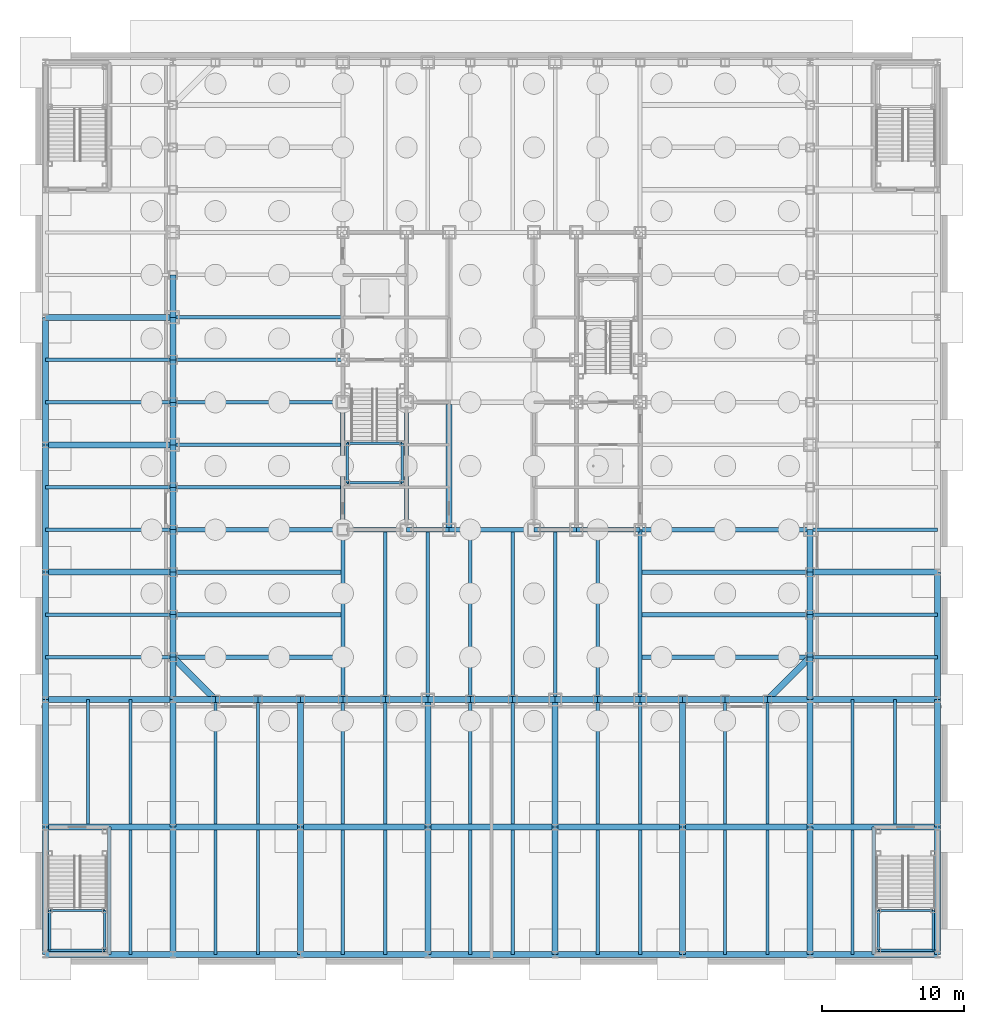
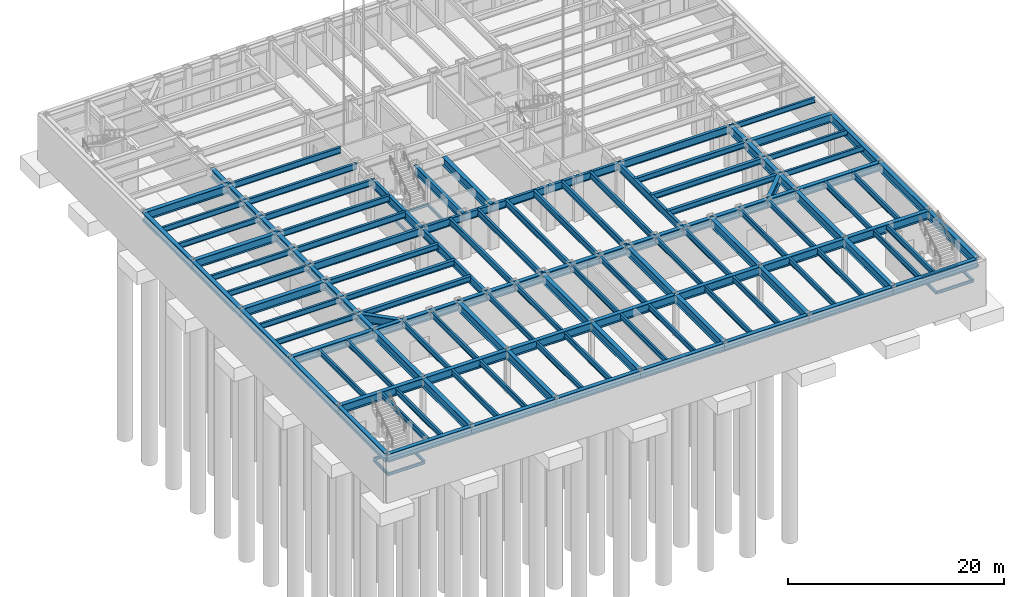
# One storey, part 4 of 18: 149 beams.
"""IFC4 building model written with IfcOpenShell, lengths in metres."""

from ifc_helpers import new_model, si_unit, direction, frame, origin, origin_2d, place, context, subcontext, project, spatial, i_section, extrude, material, material_profile, profile_set, type_object, element, save


model = new_model("IFC4")

# Units and contexts
model_context = context("Model", 3, precision=1e-05, world=origin(), true_north=direction((0.0, 1.0)))
body_context = subcontext(model_context, "Body", "Model", "MODEL_VIEW")
ifc_project = project(units=[si_unit("LENGTHUNIT", "METRE"), si_unit("AREAUNIT", "SQUARE_METRE"), si_unit("VOLUMEUNIT", "CUBIC_METRE"), si_unit("PLANEANGLEUNIT", "RADIAN"), si_unit("MASSUNIT", "GRAM", prefix="KILO")], contexts=[model_context])

# Site, building, storey
site_placement = place(None, origin())
site = spatial("IfcSite", under=ifc_project, at=site_placement, CompositionType="ELEMENT")
building_placement = place(site_placement, origin())
building = spatial("IfcBuilding", under=site, at=building_placement, Name="Chuquiago Exchange Tower", CompositionType="ELEMENT")
storey_placement = place(building_placement, frame((0.0, 0.0, -5.0)))
storey = spatial("IfcBuildingStorey", under=building, at=storey_placement, Name="B1", CompositionType="ELEMENT", Elevation=-5.0)

# Beams
ifc_material_1 = material(Name="Steel ASTM A992", Category="steel")
ifc_material_profile_1 = material_profile(ifc_material_1, i_section(OverallWidth=0.307373046875, OverallDepth=0.927001953125, WebThickness=0.01953125, FlangeThickness=0.031982421875, at=origin_2d()), Name="W36X194")
ifc_profile_set_1 = profile_set([ifc_material_profile_1], Name="Steel ASTM A992")
beam_type_1 = type_object("IfcBeamType", Name="B10 W36X194", PredefinedType="BEAM", material=ifc_profile_set_1)
for number, where, z_axis, x_axis, name in (
    (1, (12.0, 12.0, 4.33642578125), (0.0, 1.0, 0.0), (-1.0, 0.0, 0.0), "CB-L00-12_12-12_21"),
    (2, (16.5, 12.0, 4.33642578125), (0.0, 1.0, 0.0), (-1.0, 0.0, 0.0), "CB-L00-16.5_12-16.5_21"),
):
    element("IfcBeam", number, at=place(storey_placement, frame(where, z_axis=z_axis, x_axis=x_axis)), inside=storey, type_object=beam_type_1, Name=name, PredefinedType="BEAM", context=body_context, shape_type="SweptSolid", body=[
        extrude(i_section(OverallWidth=0.307373046875, OverallDepth=0.927001953125, WebThickness=0.01953125, FlangeThickness=0.031982421875, at=origin_2d()), origin(), (0.0, 0.0, 1.0), 9.0),
    ])
ifc_material_2 = material(Name="Steel ASTM A992", Category="steel")
ifc_material_profile_2 = material_profile(ifc_material_2, i_section(OverallWidth=0.4267578125, OverallDepth=0.975341796875, WebThickness=0.031005859375, FlangeThickness=0.055908203125, at=origin_2d()), Name="W36X395")
ifc_profile_set_2 = profile_set([ifc_material_profile_2], Name="Steel ASTM A992")
beam_type_2 = type_object("IfcBeamType", Name="B12 W36X395", PredefinedType="BEAM", material=ifc_profile_set_2)
beam_1_placement = place(storey_placement, frame((19.5, 12.0, 4.312255859375), z_axis=(0.0, 1.0, 0.0), x_axis=(-1.0, 0.0, 0.0)))
element("IfcBeam", 3, at=beam_1_placement, inside=storey, type_object=beam_type_2, Name="CB-L00-19.5_12-19.5_20.8451", PredefinedType="BEAM", context=body_context, shape_type="SweptSolid", body=[
    extrude(i_section(OverallWidth=0.4267578125, OverallDepth=0.975341796875, WebThickness=0.031005859375, FlangeThickness=0.055908203125, at=origin_2d()), origin(), (0.0, 0.0, 1.0), 8.84521484375),
])
ifc_material_3 = material(Name="Steel ASTM A992", Category="steel")
ifc_material_profile_3 = material_profile(ifc_material_3, i_section(OverallWidth=0.2919921875, OverallDepth=0.8583984375, WebThickness=0.01708984375, FlangeThickness=0.031005859375, at=origin_2d()), Name="W33X169")
ifc_profile_set_3 = profile_set([ifc_material_profile_3], Name="Steel ASTM A992")
beam_type_3 = type_object("IfcBeamType", Name="B3 W33X169", PredefinedType="BEAM", material=ifc_profile_set_3)
beam_2_placement = place(storey_placement, frame((12.0, 12.0, 4.37060546875), z_axis=(1.0, 0.0, 0.0), x_axis=(0.0, 1.0, 0.0)))
element("IfcBeam", 4, at=beam_2_placement, inside=storey, type_object=beam_type_3, Name="CB-L00-12_12-16.5_12", PredefinedType="BEAM", context=body_context, shape_type="SweptSolid", body=[
    extrude(i_section(OverallWidth=0.2919921875, OverallDepth=0.8583984375, WebThickness=0.01708984375, FlangeThickness=0.031005859375, at=origin_2d()), origin(), (0.0, 0.0, 1.0), 4.5),
])
beam_3_placement = place(storey_placement, frame((16.5, 12.0, 4.37060546875), z_axis=(1.0, 0.0, 0.0), x_axis=(0.0, 1.0, 0.0)))
element("IfcBeam", 5, at=beam_3_placement, inside=storey, type_object=beam_type_3, Name="CB-L00-16.5_12-19.5_12", PredefinedType="BEAM", context=body_context, shape_type="SweptSolid", body=[
    extrude(i_section(OverallWidth=0.2919921875, OverallDepth=0.8583984375, WebThickness=0.01708984375, FlangeThickness=0.031005859375, at=origin_2d()), origin(), (0.0, 0.0, 1.0), 3.0),
])
beam_4_placement = place(storey_placement, frame((19.5, 12.0, 4.37060546875), z_axis=(1.0, 0.0, 0.0), x_axis=(0.0, 1.0, 0.0)))
element("IfcBeam", 6, at=beam_4_placement, inside=storey, type_object=beam_type_3, Name="CB-L00-19.5_12-25.5_12", PredefinedType="BEAM", context=body_context, shape_type="SweptSolid", body=[
    extrude(i_section(OverallWidth=0.2919921875, OverallDepth=0.8583984375, WebThickness=0.01708984375, FlangeThickness=0.031005859375, at=origin_2d()), origin(), (0.0, 0.0, 1.0), 6.0),
])
beam_5_placement = place(storey_placement, frame((25.5, 12.0, 4.37060546875), z_axis=(1.0, 0.0, 0.0), x_axis=(0.0, 1.0, 0.0)))
element("IfcBeam", 7, at=beam_5_placement, inside=storey, type_object=beam_type_3, Name="CB-L00-25.5_12-28.5_12", PredefinedType="BEAM", context=body_context, shape_type="SweptSolid", body=[
    extrude(i_section(OverallWidth=0.2919921875, OverallDepth=0.8583984375, WebThickness=0.01708984375, FlangeThickness=0.031005859375, at=origin_2d()), origin(), (0.0, 0.0, 1.0), 3.0),
])
beam_6_placement = place(storey_placement, frame((28.5, 12.0, 4.37060546875), z_axis=(1.0, 0.0, 0.0), x_axis=(0.0, 1.0, 0.0)))
element("IfcBeam", 8, at=beam_6_placement, inside=storey, type_object=beam_type_3, Name="CB-L00-28.5_12-33_12", PredefinedType="BEAM", context=body_context, shape_type="SweptSolid", body=[
    extrude(i_section(OverallWidth=0.2919921875, OverallDepth=0.8583984375, WebThickness=0.01708984375, FlangeThickness=0.031005859375, at=origin_2d()), origin(), (0.0, 0.0, 1.0), 4.5),
])
ifc_material_4 = material(Name="Steel ASTM A992", Category="steel")
ifc_material_profile_4 = material_profile(ifc_material_4, i_section(OverallWidth=0.256591796875, OverallDepth=0.693359375, WebThickness=0.014404296875, FlangeThickness=0.023681640625, at=origin_2d()), Name="W27X114")
ifc_profile_set_4 = profile_set([ifc_material_profile_4], Name="Steel ASTM A992")
beam_type_4 = type_object("IfcBeamType", Name="B4 W27X114", PredefinedType="BEAM", material=ifc_profile_set_4)
for number, where, z_axis, x_axis, name in (
    (9, (15.0, 12.0, 4.453369140625), (0.0, -1.0, 0.0), (1.0, 0.0, 0.0), "FB-L00-infill-15_12-15_-0-0"),
    (10, (18.0, 12.0, 4.453369140625), (0.0, -1.0, 0.0), (1.0, 0.0, 0.0), "FB-L00-infill-18_12-18_-0-0"),
    (11, (21.0, 12.0, 4.453369140625), (0.0, -1.0, 0.0), (1.0, 0.0, 0.0), "FB-L00-infill-21_12-21_-0-0"),
    (12, (24.0, 12.0, 4.453369140625), (0.0, -1.0, 0.0), (1.0, 0.0, 0.0), "FB-L00-infill-24_12-24_-0-0"),
    (13, (27.0, 12.0, 4.453369140625), (0.0, -1.0, 0.0), (1.0, 0.0, 0.0), "FB-L00-infill-27_12-27_-0-0"),
    (14, (30.0, 12.0, 4.453369140625), (0.0, -1.0, 0.0), (1.0, 0.0, 0.0), "FB-L00-infill-30_12-30_-0-0"),
    (15, (12.0, 15.0, 4.453369140625), (-1.0, 0.0, 0.0), (0.0, -1.0, 0.0), "FB-L00-infill-12_15--0_15-0"),
    (16, (12.0, 18.0, 4.453369140625), (-1.0, 0.0, 0.0), (0.0, -1.0, 0.0), "FB-L00-infill-12_18--0_18-0"),
    (17, (12.0, 21.0, 4.453369140625), (-1.0, 0.0, 0.0), (0.0, -1.0, 0.0), "FB-L00-infill-12_21--0_21-0"),
    (18, (12.0, 24.0, 4.453369140625), (-1.0, 0.0, 0.0), (0.0, -1.0, 0.0), "FB-L00-infill-12_24--0_24-0"),
    (19, (12.0, 27.0, 4.453369140625), (-1.0, 0.0, 0.0), (0.0, -1.0, 0.0), "FB-L00-infill-12_27--0_27-0"),
):
    element("IfcBeam", number, at=place(storey_placement, frame(where, z_axis=z_axis, x_axis=x_axis)), inside=storey, type_object=beam_type_4, Name=name, PredefinedType="BEAM", context=body_context, shape_type="SweptSolid", body=[
        extrude(i_section(OverallWidth=0.256591796875, OverallDepth=0.693359375, WebThickness=0.014404296875, FlangeThickness=0.023681640625, at=origin_2d()), origin(), (0.0, 0.0, 1.0), 12.0),
    ])
ifc_material_5 = material(Name="Steel ASTM A992", Category="steel")
ifc_material_profile_5 = material_profile(ifc_material_5, i_section(OverallWidth=0.3251953125, OverallDepth=0.6171875, WebThickness=0.013916015625, FlangeThickness=0.021484375, at=origin_2d()), Name="W24X117")
ifc_profile_set_5 = profile_set([ifc_material_profile_5], Name="Steel ASTM A992")
beam_type_5 = type_object("IfcBeamType", Name="B5 W24X117", PredefinedType="BEAM", material=ifc_profile_set_5)
for number, where, z_axis, x_axis, name in (
    (20, (12.0, 3.0, 4.491455078125), (-1.0, 0.0, 0.0), (0.0, -1.0, 0.0), "FB-L00-corner-12_3--0_3-0"),
    (21, (12.0, 6.0, 4.491455078125), (-1.0, 0.0, 0.0), (0.0, -1.0, 0.0), "FB-L00-corner-12_6--0_6-0"),
    (22, (12.0, 9.0, 4.491455078125), (-1.0, 0.0, 0.0), (0.0, -1.0, 0.0), "FB-L00-corner-12_9--0_9-0"),
    (23, (33.0, 3.0, 4.491455078125), (1.0, 0.0, 0.0), (0.0, 1.0, 0.0), "FB-L00-corner-33_3-45_3-0"),
    (24, (33.0, 6.0, 4.491455078125), (1.0, 0.0, 0.0), (0.0, 1.0, 0.0), "FB-L00-corner-33_6-45_6-0"),
    (25, (33.0, 9.0, 4.491455078125), (1.0, 0.0, 0.0), (0.0, 1.0, 0.0), "FB-L00-corner-33_9-45_9-0"),
):
    element("IfcBeam", number, at=place(storey_placement, frame(where, z_axis=z_axis, x_axis=x_axis)), inside=storey, type_object=beam_type_5, Name=name, PredefinedType="BEAM", context=body_context, shape_type="SweptSolid", body=[
        extrude(i_section(OverallWidth=0.3251953125, OverallDepth=0.6171875, WebThickness=0.013916015625, FlangeThickness=0.021484375, at=origin_2d()), origin(), (0.0, 0.0, 1.0), 12.0),
    ])
ifc_material_6 = material(Name="Steel ASTM A992", Category="steel")
ifc_material_profile_6 = material_profile(ifc_material_6, i_section(OverallWidth=0.2919921875, OverallDepth=0.8583984375, WebThickness=0.01708984375, FlangeThickness=0.031005859375, at=origin_2d()), Name="W33X169")
ifc_profile_set_6 = profile_set([ifc_material_profile_6], Name="Steel ASTM A992")
beam_type_6 = type_object("IfcBeamType", Name="G2 W33X169", PredefinedType="BEAM", material=ifc_profile_set_6)
for number, where, z_axis, x_axis, name in (
    (26, (12.0, 12.0, 4.37060546875), (0.0, -1.0, 0.0), (1.0, 0.0, 0.0), "FB-L00-girder-12_12-12_-0-0"),
    (27, (33.0, 12.0, 4.37060546875), (0.0, -1.0, 0.0), (1.0, 0.0, 0.0), "FB-L00-girder-33_12-33_-0-0"),
    (28, (33.0, 12.0, 4.37060546875), (1.0, 0.0, 0.0), (0.0, 1.0, 0.0), "FB-L00-girder-33_12-45_12-0"),
    (29, (12.0, 12.0, 4.37060546875), (-1.0, 0.0, 0.0), (0.0, -1.0, 0.0), "FB-L00-girder-12_12--0_12-0"),
):
    element("IfcBeam", number, at=place(storey_placement, frame(where, z_axis=z_axis, x_axis=x_axis)), inside=storey, type_object=beam_type_6, Name=name, PredefinedType="BEAM", context=body_context, shape_type="SweptSolid", body=[
        extrude(i_section(OverallWidth=0.2919921875, OverallDepth=0.8583984375, WebThickness=0.01708984375, FlangeThickness=0.031005859375, at=origin_2d()), origin(), (0.0, 0.0, 1.0), 12.0),
    ])
ifc_material_7 = material(Name="Steel ASTM A992", Category="steel")
ifc_material_profile_7 = material_profile(ifc_material_7, i_section(OverallWidth=0.164794921875, OverallDepth=0.309814453125, WebThickness=0.005859375, FlangeThickness=0.009765625, at=origin_2d()), Name="W12X26")
ifc_profile_set_7 = profile_set([ifc_material_profile_7], Name="Steel ASTM A992")
beam_type_7 = type_object("IfcBeamType", Name="LS1 W12X26", PredefinedType="BEAM", material=ifc_profile_set_7)
for number, where, z_axis, x_axis, name in (
    (30, (12.31005859375, 15.31005859375, 2.14501953125), (0.0, 1.0, 0.0), (-1.0, 0.0, 0.0), "Stair ST1 B1 landing 1 stringer"),
    (31, (16.18994140625, 15.31005859375, 2.14501953125), (0.0, 1.0, 0.0), (-1.0, 0.0, 0.0), "Stair ST1 B1 landing 1 stringer"),
    (32, (-8.68994140625, -17.68994140625, 2.14501953125), (0.0, 1.0, 0.0), (-1.0, 0.0, 0.0), "Stair PS1 B1 landing 1 stringer"),
    (33, (-4.81005859375, -17.68994140625, 2.14501953125), (0.0, 1.0, 0.0), (-1.0, 0.0, 0.0), "Stair PS1 B1 landing 1 stringer"),
    (34, (49.81005859375, -17.68994140625, 2.14501953125), (0.0, 1.0, 0.0), (-1.0, 0.0, 0.0), "Stair PS2 B1 landing 1 stringer"),
    (35, (53.68994140625, -17.68994140625, 2.14501953125), (0.0, 1.0, 0.0), (-1.0, 0.0, 0.0), "Stair PS2 B1 landing 1 stringer"),
):
    element("IfcBeam", number, at=place(storey_placement, frame(where, z_axis=z_axis, x_axis=x_axis)), inside=storey, type_object=beam_type_7, Name=name, PredefinedType="BEAM", context=body_context, shape_type="SweptSolid", body=[
        extrude(i_section(OverallWidth=0.164794921875, OverallDepth=0.309814453125, WebThickness=0.005859375, FlangeThickness=0.009765625, at=origin_2d()), origin(), (0.0, 0.0, 1.0), 2.800048828125),
    ])
ifc_material_8 = material(Name="Steel ASTM A992", Category="steel")
ifc_material_profile_8 = material_profile(ifc_material_8, i_section(OverallWidth=0.164794921875, OverallDepth=0.309814453125, WebThickness=0.005859375, FlangeThickness=0.009765625, at=origin_2d()), Name="W12X26")
ifc_profile_set_8 = profile_set([ifc_material_profile_8], Name="Steel ASTM A992")
beam_type_8 = type_object("IfcBeamType", Name="LT1 W12X26", PredefinedType="BEAM", material=ifc_profile_set_8)
for number, where, z_axis, x_axis, name in (
    (36, (12.31005859375, 15.31005859375, 2.14501953125), (1.0, 0.0, 0.0), (0.0, 1.0, 0.0), "Stair ST1 B1 landing 1 trimmer"),
    (37, (12.31005859375, 18.110107421875, 2.14501953125), (1.0, 0.0, 0.0), (0.0, 1.0, 0.0), "Stair ST1 B1 landing 1 trimmer"),
):
    element("IfcBeam", number, at=place(storey_placement, frame(where, z_axis=z_axis, x_axis=x_axis)), inside=storey, type_object=beam_type_8, Name=name, PredefinedType="BEAM", context=body_context, shape_type="SweptSolid", body=[
        extrude(i_section(OverallWidth=0.164794921875, OverallDepth=0.309814453125, WebThickness=0.005859375, FlangeThickness=0.009765625, at=origin_2d()), origin(), (0.0, 0.0, 1.0), 3.8798828125),
    ])
beam_7_placement = place(storey_placement, frame((-8.814208984375, -17.68994140625, 2.14501953125), z_axis=(1.0, 0.0, 0.0), x_axis=(0.0, 1.0, 0.0)))
element("IfcBeam", 38, at=beam_7_placement, inside=storey, type_object=beam_type_8, Name="Stair PS1 B1 landing 1 trimmer", PredefinedType="BEAM", context=body_context, shape_type="SweptSolid", body=[
    extrude(i_section(OverallWidth=0.164794921875, OverallDepth=0.309814453125, WebThickness=0.005859375, FlangeThickness=0.009765625, at=origin_2d()), origin(), (0.0, 0.0, 1.0), 4.004150390625),
])
beam_8_placement = place(storey_placement, frame((-8.68994140625, -14.889892578125, 2.14501953125), z_axis=(1.0, 0.0, 0.0), x_axis=(0.0, 1.0, 0.0)))
element("IfcBeam", 39, at=beam_8_placement, inside=storey, type_object=beam_type_8, Name="Stair PS1 B1 landing 1 trimmer", PredefinedType="BEAM", context=body_context, shape_type="SweptSolid", body=[
    extrude(i_section(OverallWidth=0.164794921875, OverallDepth=0.309814453125, WebThickness=0.005859375, FlangeThickness=0.009765625, at=origin_2d()), origin(), (0.0, 0.0, 1.0), 3.8798828125),
])
beam_9_placement = place(storey_placement, frame((49.81005859375, -17.68994140625, 2.14501953125), z_axis=(1.0, 0.0, 0.0), x_axis=(0.0, 1.0, 0.0)))
element("IfcBeam", 40, at=beam_9_placement, inside=storey, type_object=beam_type_8, Name="Stair PS2 B1 landing 1 trimmer", PredefinedType="BEAM", context=body_context, shape_type="SweptSolid", body=[
    extrude(i_section(OverallWidth=0.164794921875, OverallDepth=0.309814453125, WebThickness=0.005859375, FlangeThickness=0.009765625, at=origin_2d()), origin(), (0.0, 0.0, 1.0), 4.004150390625),
])
beam_10_placement = place(storey_placement, frame((49.81005859375, -14.889892578125, 2.14501953125), z_axis=(1.0, 0.0, 0.0), x_axis=(0.0, 1.0, 0.0)))
element("IfcBeam", 41, at=beam_10_placement, inside=storey, type_object=beam_type_8, Name="Stair PS2 B1 landing 1 trimmer", PredefinedType="BEAM", context=body_context, shape_type="SweptSolid", body=[
    extrude(i_section(OverallWidth=0.164794921875, OverallDepth=0.309814453125, WebThickness=0.005859375, FlangeThickness=0.009765625, at=origin_2d()), origin(), (0.0, 0.0, 1.0), 3.8798828125),
])
ifc_material_9 = material(Name="Steel ASTM A992", Category="steel")
ifc_material_profile_9 = material_profile(ifc_material_9, i_section(OverallWidth=0.227783203125, OverallDepth=0.60205078125, WebThickness=0.010498046875, FlangeThickness=0.014892578125, at=origin_2d()), Name="W24X68")
ifc_profile_set_9 = profile_set([ifc_material_profile_9], Name="Steel ASTM A992")
beam_type_9 = type_object("IfcBeamType", Name="PB1 W24X68", PredefinedType="BEAM", material=ifc_profile_set_9)
for number, where, z_axis, x_axis, name in (
    (42, (-4.5, -18.0, 4.4990234375), (0.0, 1.0, 0.0), (-1.0, 0.0, 0.0), "PT-L00-PS1"),
    (43, (49.5, -18.0, 4.4990234375), (0.0, 1.0, 0.0), (-1.0, 0.0, 0.0), "PT-L00-PS2"),
):
    element("IfcBeam", number, at=place(storey_placement, frame(where, z_axis=z_axis, x_axis=x_axis)), inside=storey, type_object=beam_type_9, Name=name, PredefinedType="BEAM", context=body_context, shape_type="SweptSolid", body=[
        extrude(i_section(OverallWidth=0.227783203125, OverallDepth=0.60205078125, WebThickness=0.010498046875, FlangeThickness=0.014892578125, at=origin_2d()), origin(), (0.0, 0.0, 1.0), 9.0),
    ])
for number, where, z_axis, x_axis, name in (
    (44, (-6.0, -8.787841796875, 4.4990234375), (0.0, 1.0, 0.0), (-1.0, 0.0, 0.0), "PB-L00--6_-9"),
    (45, (-3.0, -18.0, 4.4990234375), (0.0, 1.0, 0.0), (-1.0, 0.0, 0.0), "PB-L00--3_-18"),
    (46, (-3.0, -8.787841796875, 4.4990234375), (0.0, 1.0, 0.0), (-1.0, 0.0, 0.0), "PB-L00--3_-9"),
    (47, (3.0, -18.0, 4.4990234375), (0.0, 1.0, 0.0), (-1.0, 0.0, 0.0), "PB-L00-3_-18"),
    (48, (3.0, -8.787841796875, 4.4990234375), (0.0, 1.0, 0.0), (-1.0, 0.0, 0.0), "PB-L00-3_-9"),
    (49, (6.0, -18.0, 4.4990234375), (0.0, 1.0, 0.0), (-1.0, 0.0, 0.0), "PB-L00-6_-18"),
    (50, (6.0, -8.787841796875, 4.4990234375), (0.0, 1.0, 0.0), (-1.0, 0.0, 0.0), "PB-L00-6_-9"),
    (51, (12.0, -18.0, 4.4990234375), (0.0, 1.0, 0.0), (-1.0, 0.0, 0.0), "PB-L00-12_-18"),
    (52, (12.0, -8.787841796875, 4.4990234375), (0.0, 1.0, 0.0), (-1.0, 0.0, 0.0), "PB-L00-12_-9"),
    (53, (15.0, -18.0, 4.4990234375), (0.0, 1.0, 0.0), (-1.0, 0.0, 0.0), "PB-L00-15_-18"),
    (54, (15.0, -8.787841796875, 4.4990234375), (0.0, 1.0, 0.0), (-1.0, 0.0, 0.0), "PB-L00-15_-9"),
    (55, (21.0, -18.0, 4.4990234375), (0.0, 1.0, 0.0), (-1.0, 0.0, 0.0), "PB-L00-21_-18"),
    (56, (21.0, -8.787841796875, 4.4990234375), (0.0, 1.0, 0.0), (-1.0, 0.0, 0.0), "PB-L00-21_-9"),
    (57, (24.0, -18.0, 4.4990234375), (0.0, 1.0, 0.0), (-1.0, 0.0, 0.0), "PB-L00-24_-18"),
    (58, (24.0, -8.787841796875, 4.4990234375), (0.0, 1.0, 0.0), (-1.0, 0.0, 0.0), "PB-L00-24_-9"),
    (59, (30.0, -18.0, 4.4990234375), (0.0, 1.0, 0.0), (-1.0, 0.0, 0.0), "PB-L00-30_-18"),
    (60, (30.0, -8.787841796875, 4.4990234375), (0.0, 1.0, 0.0), (-1.0, 0.0, 0.0), "PB-L00-30_-9"),
    (61, (33.0, -18.0, 4.4990234375), (0.0, 1.0, 0.0), (-1.0, 0.0, 0.0), "PB-L00-33_-18"),
    (62, (33.0, -8.787841796875, 4.4990234375), (0.0, 1.0, 0.0), (-1.0, 0.0, 0.0), "PB-L00-33_-9"),
    (63, (39.0, -18.0, 4.4990234375), (0.0, 1.0, 0.0), (-1.0, 0.0, 0.0), "PB-L00-39_-18"),
    (64, (39.0, -8.787841796875, 4.4990234375), (0.0, 1.0, 0.0), (-1.0, 0.0, 0.0), "PB-L00-39_-9"),
    (65, (42.0, -18.0, 4.4990234375), (0.0, 1.0, 0.0), (-1.0, 0.0, 0.0), "PB-L00-42_-18"),
    (66, (42.0, -8.787841796875, 4.4990234375), (0.0, 1.0, 0.0), (-1.0, 0.0, 0.0), "PB-L00-42_-9"),
    (67, (48.0, -18.0, 4.4990234375), (0.0, 1.0, 0.0), (-1.0, 0.0, 0.0), "PB-L00-48_-18"),
    (68, (48.0, -8.787841796875, 4.4990234375), (0.0, 1.0, 0.0), (-1.0, 0.0, 0.0), "PB-L00-48_-9"),
    (69, (51.0, -8.787841796875, 4.4990234375), (0.0, 1.0, 0.0), (-1.0, 0.0, 0.0), "PB-L00-51_-9"),
):
    element("IfcBeam", number, at=place(storey_placement, frame(where, z_axis=z_axis, x_axis=x_axis)), inside=storey, type_object=beam_type_9, Name=name, PredefinedType="BEAM", context=body_context, shape_type="SweptSolid", body=[
        extrude(i_section(OverallWidth=0.227783203125, OverallDepth=0.60205078125, WebThickness=0.010498046875, FlangeThickness=0.014892578125, at=origin_2d()), origin(), (0.0, 0.0, 1.0), 8.787841796875),
    ])
for number, where, z_axis, x_axis, name in (
    (70, (-9.0, 3.0, 4.4990234375), (1.0, 0.0, 0.0), (0.0, 1.0, 0.0), "PB-L00--9_3"),
    (71, (45.0, 3.0, 4.4990234375), (1.0, 0.0, 0.0), (0.0, 1.0, 0.0), "PB-L00-45_3"),
    (72, (-9.0, 6.0, 4.4990234375), (1.0, 0.0, 0.0), (0.0, 1.0, 0.0), "PB-L00--9_6"),
    (73, (45.0, 6.0, 4.4990234375), (1.0, 0.0, 0.0), (0.0, 1.0, 0.0), "PB-L00-45_6"),
    (74, (-9.0, 12.0, 4.4990234375), (1.0, 0.0, 0.0), (0.0, 1.0, 0.0), "PB-L00--9_12"),
    (75, (45.0, 12.0, 4.4990234375), (1.0, 0.0, 0.0), (0.0, 1.0, 0.0), "PB-L00-45_12"),
    (76, (-9.0, 15.0, 4.4990234375), (1.0, 0.0, 0.0), (0.0, 1.0, 0.0), "PB-L00--9_15"),
    (77, (-9.0, 21.0, 4.4990234375), (1.0, 0.0, 0.0), (0.0, 1.0, 0.0), "PB-L00--9_21"),
    (78, (-9.0, 24.0, 4.4990234375), (1.0, 0.0, 0.0), (0.0, 1.0, 0.0), "PB-L00--9_24"),
):
    element("IfcBeam", number, at=place(storey_placement, frame(where, z_axis=z_axis, x_axis=x_axis)), inside=storey, type_object=beam_type_9, Name=name, PredefinedType="BEAM", context=body_context, shape_type="SweptSolid", body=[
        extrude(i_section(OverallWidth=0.227783203125, OverallDepth=0.60205078125, WebThickness=0.010498046875, FlangeThickness=0.014892578125, at=origin_2d()), origin(), (0.0, 0.0, 1.0), 9.0),
    ])
ifc_material_10 = material(Name="Steel ASTM A992", Category="steel")
ifc_material_profile_10 = material_profile(ifc_material_10, i_section(OverallWidth=0.424072265625, OverallDepth=0.947509765625, WebThickness=0.02392578125, FlangeThickness=0.042724609375, at=origin_2d()), Name="W36X302")
ifc_profile_set_10 = profile_set([ifc_material_profile_10], Name="Steel ASTM A992")
beam_type_10 = type_object("IfcBeamType", Name="PG1 W36X302", PredefinedType="BEAM", material=ifc_profile_set_10)
for number, where, z_axis, x_axis, name in (
    (79, (-9.0, -18.0, 4.326416015625), (0.0, 1.0, 0.0), (-1.0, 0.0, 0.0), "PG-L00--9_-18--9_-9"),
    (80, (-9.0, -9.0, 4.326416015625), (0.0, 1.0, 0.0), (-1.0, 0.0, 0.0), "PG-L00--9_-9--9_0"),
    (81, (-9.0, 0.0, 4.326416015625), (0.0, 1.0, 0.0), (-1.0, 0.0, 0.0), "PG-L00--9_0--9_9"),
    (82, (-9.0, 9.0, 4.326416015625), (0.0, 1.0, 0.0), (-1.0, 0.0, 0.0), "PG-L00--9_9--9_18"),
    (83, (-9.0, 18.0, 4.326416015625), (0.0, 1.0, 0.0), (-1.0, 0.0, 0.0), "PG-L00--9_18--9_27"),
    (84, (0.0, -18.0, 4.326416015625), (0.0, 1.0, 0.0), (-1.0, 0.0, 0.0), "PG-L00-0_-18-0_-9"),
    (85, (0.0, -9.0, 4.326416015625), (0.0, 1.0, 0.0), (-1.0, 0.0, 0.0), "PG-L00-0_-9-0_0"),
):
    element("IfcBeam", number, at=place(storey_placement, frame(where, z_axis=z_axis, x_axis=x_axis)), inside=storey, type_object=beam_type_10, Name=name, PredefinedType="BEAM", context=body_context, shape_type="SweptSolid", body=[
        extrude(i_section(OverallWidth=0.424072265625, OverallDepth=0.947509765625, WebThickness=0.02392578125, FlangeThickness=0.042724609375, at=origin_2d()), origin(), (0.0, 0.0, 1.0), 9.0),
    ])
beam_11_placement = place(storey_placement, frame((0.0, 0.0, 4.326416015625), z_axis=(0.0, 1.0, 0.0), x_axis=(-1.0, 0.0, 0.0)))
element("IfcBeam", 86, at=beam_11_placement, inside=storey, type_object=beam_type_10, Name="PG-L00-0_0-0_3", PredefinedType="BEAM", context=body_context, shape_type="SweptSolid", body=[
    extrude(i_section(OverallWidth=0.424072265625, OverallDepth=0.947509765625, WebThickness=0.02392578125, FlangeThickness=0.042724609375, at=origin_2d()), origin(), (0.0, 0.0, 1.0), 3.0),
])
for number, where, z_axis, x_axis, name in (
    (87, (9.0, -18.0, 4.326416015625), (0.0, 1.0, 0.0), (-1.0, 0.0, 0.0), "PG-L00-9_-18-9_-9"),
    (88, (9.0, -9.0, 4.326416015625), (0.0, 1.0, 0.0), (-1.0, 0.0, 0.0), "PG-L00-9_-9-9_0"),
    (89, (18.0, -18.0, 4.326416015625), (0.0, 1.0, 0.0), (-1.0, 0.0, 0.0), "PG-L00-18_-18-18_-9"),
    (90, (18.0, -9.0, 4.326416015625), (0.0, 1.0, 0.0), (-1.0, 0.0, 0.0), "PG-L00-18_-9-18_0"),
    (91, (27.0, -18.0, 4.326416015625), (0.0, 1.0, 0.0), (-1.0, 0.0, 0.0), "PG-L00-27_-18-27_-9"),
    (92, (27.0, -9.0, 4.326416015625), (0.0, 1.0, 0.0), (-1.0, 0.0, 0.0), "PG-L00-27_-9-27_0"),
    (93, (36.0, -18.0, 4.326416015625), (0.0, 1.0, 0.0), (-1.0, 0.0, 0.0), "PG-L00-36_-18-36_-9"),
    (94, (36.0, -9.0, 4.326416015625), (0.0, 1.0, 0.0), (-1.0, 0.0, 0.0), "PG-L00-36_-9-36_0"),
    (95, (45.0, -18.0, 4.326416015625), (0.0, 1.0, 0.0), (-1.0, 0.0, 0.0), "PG-L00-45_-18-45_-9"),
    (96, (45.0, -9.0, 4.326416015625), (0.0, 1.0, 0.0), (-1.0, 0.0, 0.0), "PG-L00-45_-9-45_0"),
):
    element("IfcBeam", number, at=place(storey_placement, frame(where, z_axis=z_axis, x_axis=x_axis)), inside=storey, type_object=beam_type_10, Name=name, PredefinedType="BEAM", context=body_context, shape_type="SweptSolid", body=[
        extrude(i_section(OverallWidth=0.424072265625, OverallDepth=0.947509765625, WebThickness=0.02392578125, FlangeThickness=0.042724609375, at=origin_2d()), origin(), (0.0, 0.0, 1.0), 9.0),
    ])
beam_12_placement = place(storey_placement, frame((45.0, 0.0, 4.326416015625), z_axis=(0.0, 1.0, 0.0), x_axis=(-1.0, 0.0, 0.0)))
element("IfcBeam", 97, at=beam_12_placement, inside=storey, type_object=beam_type_10, Name="PG-L00-45_0-45_3", PredefinedType="BEAM", context=body_context, shape_type="SweptSolid", body=[
    extrude(i_section(OverallWidth=0.424072265625, OverallDepth=0.947509765625, WebThickness=0.02392578125, FlangeThickness=0.042724609375, at=origin_2d()), origin(), (0.0, 0.0, 1.0), 3.0),
])
for number, where, z_axis, x_axis, name in (
    (98, (54.0, -18.0, 4.326416015625), (0.0, 1.0, 0.0), (-1.0, 0.0, 0.0), "PG-L00-54_-18-54_-9"),
    (99, (54.0, -9.0, 4.326416015625), (0.0, 1.0, 0.0), (-1.0, 0.0, 0.0), "PG-L00-54_-9-54_0"),
    (100, (54.0, 0.0, 4.326416015625), (0.0, 1.0, 0.0), (-1.0, 0.0, 0.0), "PG-L00-54_0-54_9"),
    (101, (-9.0, -18.0, 4.326416015625), (1.0, 0.0, 0.0), (0.0, 1.0, 0.0), "PG-L00--9_-18-0_-18"),
    (102, (0.0, -18.0, 4.326416015625), (1.0, 0.0, 0.0), (0.0, 1.0, 0.0), "PG-L00-0_-18-9_-18"),
    (103, (9.0, -18.0, 4.326416015625), (1.0, 0.0, 0.0), (0.0, 1.0, 0.0), "PG-L00-9_-18-18_-18"),
    (104, (18.0, -18.0, 4.326416015625), (1.0, 0.0, 0.0), (0.0, 1.0, 0.0), "PG-L00-18_-18-27_-18"),
    (105, (27.0, -18.0, 4.326416015625), (1.0, 0.0, 0.0), (0.0, 1.0, 0.0), "PG-L00-27_-18-36_-18"),
    (106, (36.0, -18.0, 4.326416015625), (1.0, 0.0, 0.0), (0.0, 1.0, 0.0), "PG-L00-36_-18-45_-18"),
    (107, (45.0, -18.0, 4.326416015625), (1.0, 0.0, 0.0), (0.0, 1.0, 0.0), "PG-L00-45_-18-54_-18"),
    (108, (-9.0, -9.0, 4.326416015625), (1.0, 0.0, 0.0), (0.0, 1.0, 0.0), "PG-L00--9_-9-0_-9"),
    (109, (0.0, -9.0, 4.326416015625), (1.0, 0.0, 0.0), (0.0, 1.0, 0.0), "PG-L00-0_-9-9_-9"),
    (110, (9.0, -9.0, 4.326416015625), (1.0, 0.0, 0.0), (0.0, 1.0, 0.0), "PG-L00-9_-9-18_-9"),
    (111, (18.0, -9.0, 4.326416015625), (1.0, 0.0, 0.0), (0.0, 1.0, 0.0), "PG-L00-18_-9-27_-9"),
    (112, (27.0, -9.0, 4.326416015625), (1.0, 0.0, 0.0), (0.0, 1.0, 0.0), "PG-L00-27_-9-36_-9"),
    (113, (36.0, -9.0, 4.326416015625), (1.0, 0.0, 0.0), (0.0, 1.0, 0.0), "PG-L00-36_-9-45_-9"),
    (114, (45.0, -9.0, 4.326416015625), (1.0, 0.0, 0.0), (0.0, 1.0, 0.0), "PG-L00-45_-9-54_-9"),
    (115, (-9.0, 0.0, 4.326416015625), (1.0, 0.0, 0.0), (0.0, 1.0, 0.0), "PG-L00--9_0-0_0"),
):
    element("IfcBeam", number, at=place(storey_placement, frame(where, z_axis=z_axis, x_axis=x_axis)), inside=storey, type_object=beam_type_10, Name=name, PredefinedType="BEAM", context=body_context, shape_type="SweptSolid", body=[
        extrude(i_section(OverallWidth=0.424072265625, OverallDepth=0.947509765625, WebThickness=0.02392578125, FlangeThickness=0.042724609375, at=origin_2d()), origin(), (0.0, 0.0, 1.0), 9.0),
    ])
for number, where, z_axis, x_axis, name in (
    (116, (0.0, 0.0, 4.326416015625), (1.0, 0.0, 0.0), (0.0, 1.0, 0.0), "PG-L00-0_0-3_0"),
    (117, (42.0, 0.0, 4.326416015625), (1.0, 0.0, 0.0), (0.0, 1.0, 0.0), "PG-L00-42_0-45_0"),
):
    element("IfcBeam", number, at=place(storey_placement, frame(where, z_axis=z_axis, x_axis=x_axis)), inside=storey, type_object=beam_type_10, Name=name, PredefinedType="BEAM", context=body_context, shape_type="SweptSolid", body=[
        extrude(i_section(OverallWidth=0.424072265625, OverallDepth=0.947509765625, WebThickness=0.02392578125, FlangeThickness=0.042724609375, at=origin_2d()), origin(), (0.0, 0.0, 1.0), 3.0),
    ])
for number, where, z_axis, x_axis, name in (
    (118, (45.0, 0.0, 4.326416015625), (1.0, 0.0, 0.0), (0.0, 1.0, 0.0), "PG-L00-45_0-54_0"),
    (119, (-9.0, 9.0, 4.326416015625), (1.0, 0.0, 0.0), (0.0, 1.0, 0.0), "PG-L00--9_9-0_9"),
    (120, (45.0, 9.0, 4.326416015625), (1.0, 0.0, 0.0), (0.0, 1.0, 0.0), "PG-L00-45_9-54_9"),
    (121, (-9.0, 18.0, 4.326416015625), (1.0, 0.0, 0.0), (0.0, 1.0, 0.0), "PG-L00--9_18-0_18"),
    (122, (-9.0, 27.0, 4.326416015625), (1.0, 0.0, 0.0), (0.0, 1.0, 0.0), "PG-L00--9_27-0_27"),
):
    element("IfcBeam", number, at=place(storey_placement, frame(where, z_axis=z_axis, x_axis=x_axis)), inside=storey, type_object=beam_type_10, Name=name, PredefinedType="BEAM", context=body_context, shape_type="SweptSolid", body=[
        extrude(i_section(OverallWidth=0.424072265625, OverallDepth=0.947509765625, WebThickness=0.02392578125, FlangeThickness=0.042724609375, at=origin_2d()), origin(), (0.0, 0.0, 1.0), 9.0),
    ])
ifc_material_11 = material(Name="Steel ASTM A992", Category="steel")
ifc_material_profile_11 = material_profile(ifc_material_11, i_section(OverallWidth=0.4267578125, OverallDepth=0.95751953125, WebThickness=0.028564453125, FlangeThickness=0.050048828125, at=origin_2d()), Name="W36X361")
ifc_profile_set_11 = profile_set([ifc_material_profile_11], Name="Steel ASTM A992")
beam_type_11 = type_object("IfcBeamType", Name="SP1 W36X361", PredefinedType="SPANDREL", material=ifc_profile_set_11)
for number, where, z_axis, x_axis, name in (
    (123, (3.0, 0.0, 4.3212890625), (1.0, 0.0, 0.0), (0.0, 1.0, 0.0), "SPB-L00-3_0-6_0"),
    (124, (6.0, 0.0, 4.3212890625), (1.0, 0.0, 0.0), (0.0, 1.0, 0.0), "SPB-L00-6_0-9_0"),
    (125, (9.0, 0.0, 4.3212890625), (1.0, 0.0, 0.0), (0.0, 1.0, 0.0), "SPB-L00-9_0-12_0"),
    (126, (12.0, 0.0, 4.3212890625), (1.0, 0.0, 0.0), (0.0, 1.0, 0.0), "SPB-L00-12_0-15_0"),
    (127, (15.0, 0.0, 4.3212890625), (1.0, 0.0, 0.0), (0.0, 1.0, 0.0), "SPB-L00-15_0-18_0"),
    (128, (18.0, 0.0, 4.3212890625), (1.0, 0.0, 0.0), (0.0, 1.0, 0.0), "SPB-L00-18_0-21_0"),
    (129, (21.0, 0.0, 4.3212890625), (1.0, 0.0, 0.0), (0.0, 1.0, 0.0), "SPB-L00-21_0-24_0"),
    (130, (24.0, 0.0, 4.3212890625), (1.0, 0.0, 0.0), (0.0, 1.0, 0.0), "SPB-L00-24_0-27_0"),
    (131, (27.0, 0.0, 4.3212890625), (1.0, 0.0, 0.0), (0.0, 1.0, 0.0), "SPB-L00-27_0-30_0"),
    (132, (30.0, 0.0, 4.3212890625), (1.0, 0.0, 0.0), (0.0, 1.0, 0.0), "SPB-L00-30_0-33_0"),
    (133, (33.0, 0.0, 4.3212890625), (1.0, 0.0, 0.0), (0.0, 1.0, 0.0), "SPB-L00-33_0-36_0"),
    (134, (36.0, 0.0, 4.3212890625), (1.0, 0.0, 0.0), (0.0, 1.0, 0.0), "SPB-L00-36_0-39_0"),
    (135, (39.0, 0.0, 4.3212890625), (1.0, 0.0, 0.0), (0.0, 1.0, 0.0), "SPB-L00-39_0-42_0"),
):
    element("IfcBeam", number, at=place(storey_placement, frame(where, z_axis=z_axis, x_axis=x_axis)), inside=storey, type_object=beam_type_11, Name=name, PredefinedType="SPANDREL", context=body_context, shape_type="SweptSolid", body=[
        extrude(i_section(OverallWidth=0.4267578125, OverallDepth=0.95751953125, WebThickness=0.028564453125, FlangeThickness=0.050048828125, at=origin_2d()), origin(), (0.0, 0.0, 1.0), 3.0),
    ])
beam_13_placement = place(storey_placement, frame((42.0, 0.0, 4.3212890625), z_axis=(0.707106781187, 0.707106781187, 0.0), x_axis=(-0.707106781187, 0.707106781187, 0.0)))
element("IfcBeam", 136, at=beam_13_placement, inside=storey, type_object=beam_type_11, Name="SPB-L00-42_0-45_3", PredefinedType="SPANDREL", context=body_context, shape_type="SweptSolid", body=[
    extrude(i_section(OverallWidth=0.4267578125, OverallDepth=0.95751953125, WebThickness=0.028564453125, FlangeThickness=0.050048828125, at=origin_2d()), origin(), (0.0, 0.0, 1.0), 4.24267578125),
])
for number, where, z_axis, x_axis, name in (
    (137, (45.0, 3.0, 4.3212890625), (0.0, 1.0, 0.0), (-1.0, 0.0, 0.0), "SPB-L00-45_3-45_6"),
    (138, (45.0, 6.0, 4.3212890625), (0.0, 1.0, 0.0), (-1.0, 0.0, 0.0), "SPB-L00-45_6-45_9"),
    (139, (45.0, 9.0, 4.3212890625), (0.0, 1.0, 0.0), (-1.0, 0.0, 0.0), "SPB-L00-45_9-45_12"),
    (140, (0.0, 30.0, 4.3212890625), (0.0, -1.0, 0.0), (1.0, 0.0, 0.0), "SPB-L00-0_30-0_27"),
    (141, (0.0, 27.0, 4.3212890625), (0.0, -1.0, 0.0), (1.0, 0.0, 0.0), "SPB-L00-0_27-0_24"),
    (142, (0.0, 24.0, 4.3212890625), (0.0, -1.0, 0.0), (1.0, 0.0, 0.0), "SPB-L00-0_24-0_21"),
    (143, (0.0, 21.0, 4.3212890625), (0.0, -1.0, 0.0), (1.0, 0.0, 0.0), "SPB-L00-0_21-0_18"),
    (144, (0.0, 18.0, 4.3212890625), (0.0, -1.0, 0.0), (1.0, 0.0, 0.0), "SPB-L00-0_18-0_15"),
    (145, (0.0, 15.0, 4.3212890625), (0.0, -1.0, 0.0), (1.0, 0.0, 0.0), "SPB-L00-0_15-0_12"),
    (146, (0.0, 12.0, 4.3212890625), (0.0, -1.0, 0.0), (1.0, 0.0, 0.0), "SPB-L00-0_12-0_9"),
    (147, (0.0, 9.0, 4.3212890625), (0.0, -1.0, 0.0), (1.0, 0.0, 0.0), "SPB-L00-0_9-0_6"),
    (148, (0.0, 6.0, 4.3212890625), (0.0, -1.0, 0.0), (1.0, 0.0, 0.0), "SPB-L00-0_6-0_3"),
):
    element("IfcBeam", number, at=place(storey_placement, frame(where, z_axis=z_axis, x_axis=x_axis)), inside=storey, type_object=beam_type_11, Name=name, PredefinedType="SPANDREL", context=body_context, shape_type="SweptSolid", body=[
        extrude(i_section(OverallWidth=0.4267578125, OverallDepth=0.95751953125, WebThickness=0.028564453125, FlangeThickness=0.050048828125, at=origin_2d()), origin(), (0.0, 0.0, 1.0), 3.0),
    ])
beam_14_placement = place(storey_placement, frame((0.0, 3.0, 4.3212890625), z_axis=(0.707106781187, -0.707106781187, 0.0), x_axis=(0.707106781187, 0.707106781187, 0.0)))
element("IfcBeam", 149, at=beam_14_placement, inside=storey, type_object=beam_type_11, Name="SPB-L00-0_3-3_0", PredefinedType="SPANDREL", context=body_context, shape_type="SweptSolid", body=[
    extrude(i_section(OverallWidth=0.4267578125, OverallDepth=0.95751953125, WebThickness=0.028564453125, FlangeThickness=0.050048828125, at=origin_2d()), origin(), (0.0, 0.0, 1.0), 4.24267578125),
])

save(model, "model.ifc")
